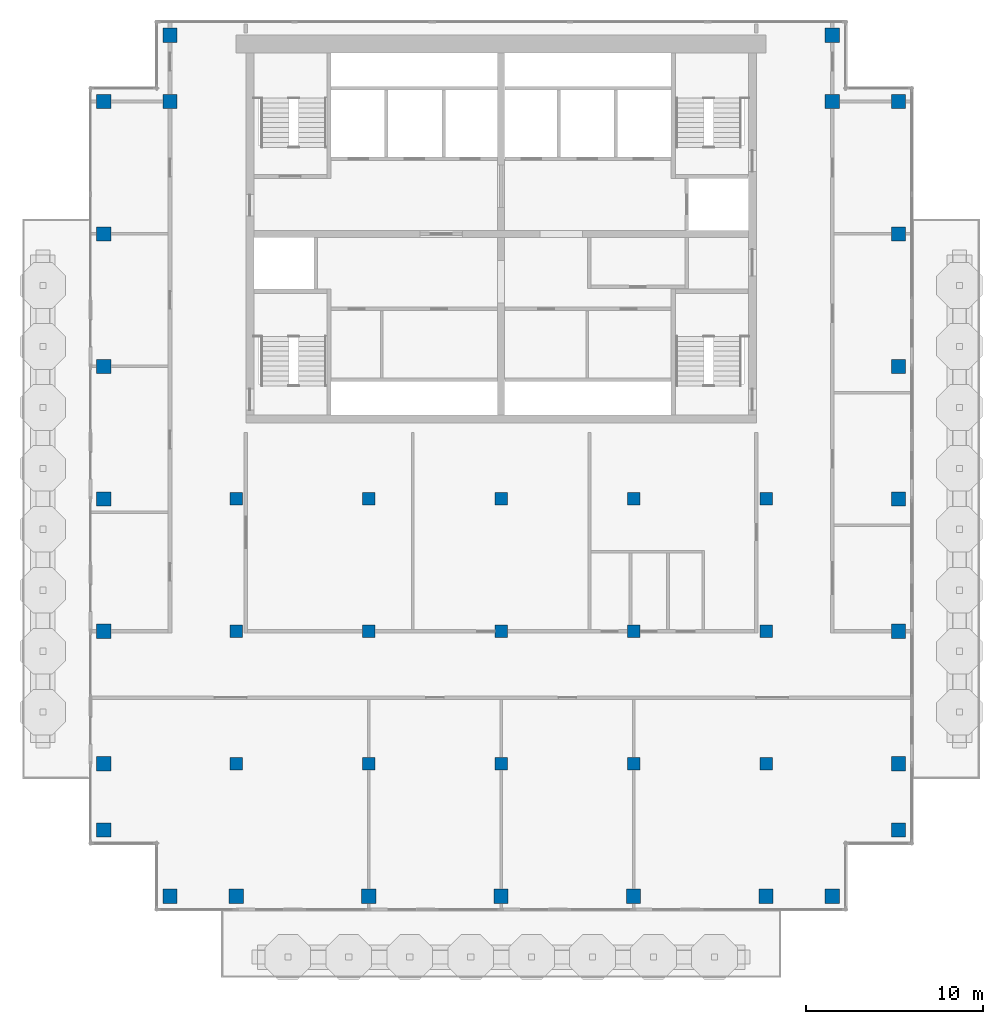
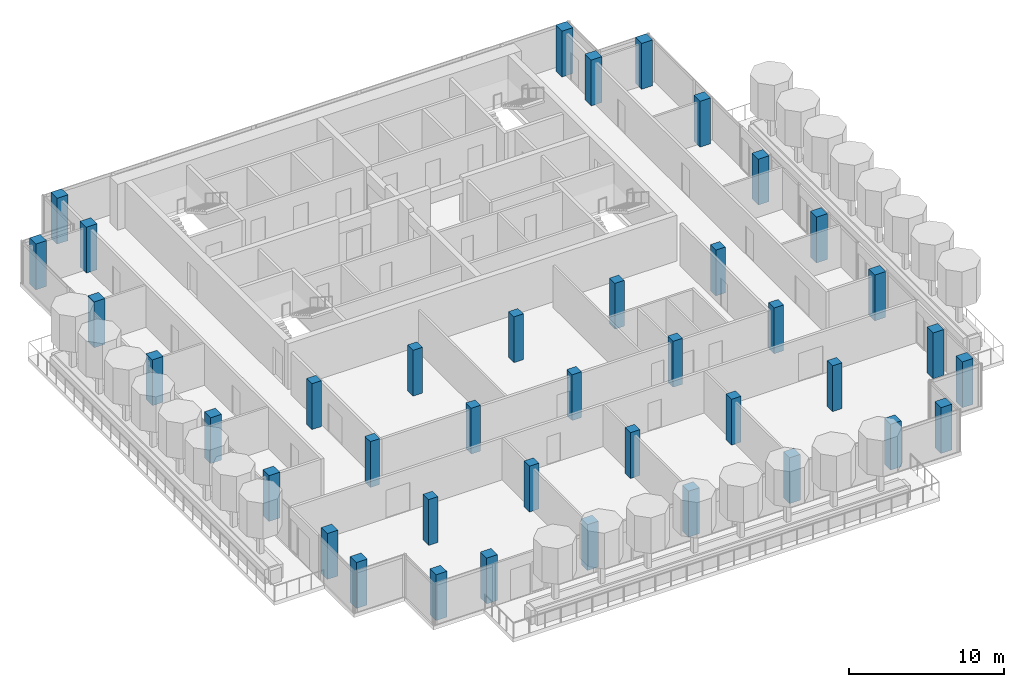
# One storey, part 1 of 12: 40 columns.
"""IFC4 building model written with IfcOpenShell, lengths in metres."""

from ifc_helpers import new_model, si_unit, direction, frame, origin, origin_2d, place, context, subcontext, project, spatial, rectangle, extrude, material, material_profile, profile_set, type_object, element, save


model = new_model("IFC4")

# Units and contexts
model_context = context("Model", 3, precision=1e-05, world=origin(), true_north=direction((0.0, 1.0)))
body_context = subcontext(model_context, "Body", "Model", "MODEL_VIEW")
ifc_project = project(units=[si_unit("LENGTHUNIT", "METRE"), si_unit("AREAUNIT", "SQUARE_METRE"), si_unit("VOLUMEUNIT", "CUBIC_METRE"), si_unit("PLANEANGLEUNIT", "RADIAN"), si_unit("MASSUNIT", "GRAM", prefix="KILO")], contexts=[model_context])

# Site, building, storey
site_placement = place(None, origin())
site = spatial("IfcSite", under=ifc_project, at=site_placement, CompositionType="ELEMENT")
building_placement = place(site_placement, origin())
building = spatial("IfcBuilding", under=site, at=building_placement, Name="Pilkhan Gate Tower", CompositionType="ELEMENT")
storey_placement = place(building_placement, frame((0.0, 0.0, 258.5)))
storey = spatial("IfcBuildingStorey", under=building, at=storey_placement, Name="L67", CompositionType="ELEMENT", Elevation=258.5)

# Columns
ifc_material = material(Name="Concrete C40/50", Category="concrete")
ifc_material_profile_1 = material_profile(ifc_material, rectangle(XDim=0.699951171875, YDim=0.699951171875, at=origin_2d()), Name="RC 700x700")
ifc_profile_set_1 = profile_set([ifc_material_profile_1], Name="Concrete C40/50")
column_type_1 = type_object("IfcColumnType", Name="Column C70 RC 700x700 C40/50", PredefinedType="COLUMN", material=ifc_profile_set_1)
for number, where, z_axis, x_axis, name in (
    (1, (60.0, 52.5, 0.0), (0.0, 0.0, 1.0), (1.0, 0.0, 0.0), "Column 7/D L67"),
    (2, (60.0, 60.0, 0.0), (0.0, 0.0, 1.0), (1.0, 0.0, 0.0), "Column 7/F L67"),
    (3, (60.0, 67.5, 0.0), (0.0, 0.0, 1.0), (1.0, 0.0, 0.0), "Column 7/H L67"),
    (4, (67.5, 52.5, 0.0), (0.0, 0.0, 1.0), (1.0, 0.0, 0.0), "Column 9/D L67"),
    (5, (67.5, 60.0, 0.0), (0.0, 0.0, 1.0), (1.0, 0.0, 0.0), "Column 9/F L67"),
    (6, (67.5, 67.5, 0.0), (0.0, 0.0, 1.0), (1.0, 0.0, 0.0), "Column 9/H L67"),
    (7, (75.0, 52.5, 0.0), (0.0, 0.0, 1.0), (1.0, 0.0, 0.0), "Column 11/D L67"),
    (8, (75.0, 60.0, 0.0), (0.0, 0.0, 1.0), (1.0, 0.0, 0.0), "Column 11/F L67"),
    (9, (75.0, 67.5, 0.0), (0.0, 0.0, 1.0), (1.0, 0.0, 0.0), "Column 11/H L67"),
    (10, (82.5, 52.5, 0.0), (0.0, 0.0, 1.0), (1.0, 0.0, 0.0), "Column 13/D L67"),
    (11, (82.5, 60.0, 0.0), (0.0, 0.0, 1.0), (1.0, 0.0, 0.0), "Column 13/F L67"),
    (12, (82.5, 67.5, 0.0), (0.0, 0.0, 1.0), (1.0, 0.0, 0.0), "Column 13/H L67"),
    (13, (90.0, 52.5, 0.0), (0.0, 0.0, 1.0), (1.0, 0.0, 0.0), "Column 15/D L67"),
    (14, (90.0, 60.0, 0.0), (0.0, 0.0, 1.0), (1.0, 0.0, 0.0), "Column 15/F L67"),
    (15, (90.0, 67.5, 0.0), (0.0, 0.0, 1.0), (1.0, 0.0, 0.0), "Column 15/H L67"),
):
    element("IfcColumn", number, at=place(storey_placement, frame(where, z_axis=z_axis, x_axis=x_axis)), inside=storey, type_object=column_type_1, Name=name, PredefinedType="COLUMN", context=body_context, shape_type="SweptSolid", body=[
        extrude(rectangle(XDim=0.699951171875, YDim=0.699951171875, at=origin_2d()), origin(), (0.0, 0.0, 1.0), 3.60009765625),
    ])
ifc_material_profile_2 = material_profile(ifc_material, rectangle(XDim=0.800048828125, YDim=0.800048828125, at=origin_2d()), Name="RC 800x800")
ifc_profile_set_2 = profile_set([ifc_material_profile_2], Name="Concrete C40/50")
column_type_2 = type_object("IfcColumnType", Name="Column C80 RC 800x800 C40/50", PredefinedType="COLUMN", material=ifc_profile_set_2)
for number, where, z_axis, x_axis, name in (
    (16, (52.5, 48.75, 0.0), (0.0, 0.0, 1.0), (1.0, 0.0, 0.0), "Column 5/C L67"),
    (17, (52.5, 52.5, 0.0), (0.0, 0.0, 1.0), (1.0, 0.0, 0.0), "Column 5/D L67"),
    (18, (52.5, 60.0, 0.0), (0.0, 0.0, 1.0), (1.0, 0.0, 0.0), "Column 5/F L67"),
    (19, (52.5, 67.5, 0.0), (0.0, 0.0, 1.0), (1.0, 0.0, 0.0), "Column 5/H L67"),
    (20, (52.5, 75.0, 0.0), (0.0, 0.0, 1.0), (1.0, 0.0, 0.0), "Column 5/K L67"),
    (21, (52.5, 82.5, 0.0), (0.0, 0.0, 1.0), (1.0, 0.0, 0.0), "Column 5/M L67"),
    (22, (52.5, 90.0, 0.0), (0.0, 0.0, 1.0), (1.0, 0.0, 0.0), "Column 5/P L67"),
    (23, (56.25, 45.0, 0.0), (0.0, 0.0, 1.0), (1.0, 0.0, 0.0), "Column 6/B L67"),
    (24, (56.25, 90.0, 0.0), (0.0, 0.0, 1.0), (1.0, 0.0, 0.0), "Column 6/P L67"),
    (25, (56.25, 93.75, 0.0), (0.0, 0.0, 1.0), (1.0, 0.0, 0.0), "Column 6/Q L67"),
    (26, (60.0, 45.0, 0.0), (0.0, 0.0, 1.0), (1.0, 0.0, 0.0), "Column 7/B L67"),
    (27, (67.5, 45.0, 0.0), (0.0, 0.0, 1.0), (1.0, 0.0, 0.0), "Column 9/B L67"),
    (28, (75.0, 45.0, 0.0), (0.0, 0.0, 1.0), (1.0, 0.0, 0.0), "Column 11/B L67"),
    (29, (82.5, 45.0, 0.0), (0.0, 0.0, 1.0), (1.0, 0.0, 0.0), "Column 13/B L67"),
    (30, (90.0, 45.0, 0.0), (0.0, 0.0, 1.0), (1.0, 0.0, 0.0), "Column 15/B L67"),
    (31, (93.75, 45.0, 0.0), (0.0, 0.0, 1.0), (1.0, 0.0, 0.0), "Column 16/B L67"),
    (32, (93.75, 90.0, 0.0), (0.0, 0.0, 1.0), (1.0, 0.0, 0.0), "Column 16/P L67"),
    (33, (93.75, 93.75, 0.0), (0.0, 0.0, 1.0), (1.0, 0.0, 0.0), "Column 16/Q L67"),
    (34, (97.5, 48.75, 0.0), (0.0, 0.0, 1.0), (1.0, 0.0, 0.0), "Column 17/C L67"),
    (35, (97.5, 52.5, 0.0), (0.0, 0.0, 1.0), (1.0, 0.0, 0.0), "Column 17/D L67"),
    (36, (97.5, 60.0, 0.0), (0.0, 0.0, 1.0), (1.0, 0.0, 0.0), "Column 17/F L67"),
    (37, (97.5, 67.5, 0.0), (0.0, 0.0, 1.0), (1.0, 0.0, 0.0), "Column 17/H L67"),
    (38, (97.5, 75.0, 0.0), (0.0, 0.0, 1.0), (1.0, 0.0, 0.0), "Column 17/K L67"),
    (39, (97.5, 82.5, 0.0), (0.0, 0.0, 1.0), (1.0, 0.0, 0.0), "Column 17/M L67"),
    (40, (97.5, 90.0, 0.0), (0.0, 0.0, 1.0), (1.0, 0.0, 0.0), "Column 17/P L67"),
):
    element("IfcColumn", number, at=place(storey_placement, frame(where, z_axis=z_axis, x_axis=x_axis)), inside=storey, type_object=column_type_2, Name=name, PredefinedType="COLUMN", context=body_context, shape_type="SweptSolid", body=[
        extrude(rectangle(XDim=0.800048828125, YDim=0.800048828125, at=origin_2d()), origin(), (0.0, 0.0, 1.0), 3.60009765625),
    ])

save(model, "model.ifc")
